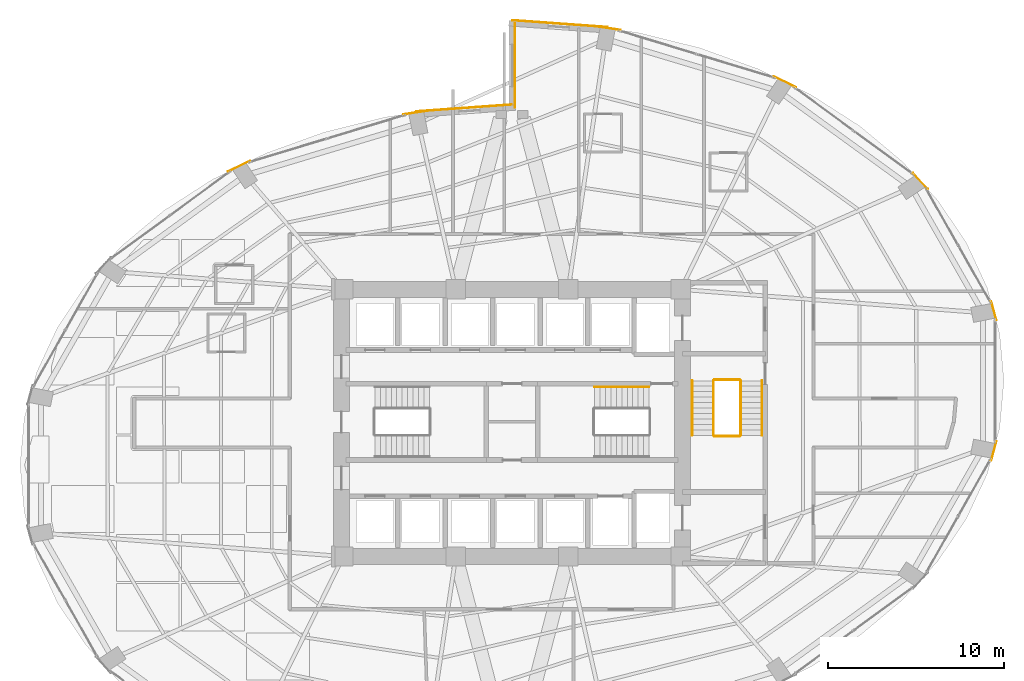
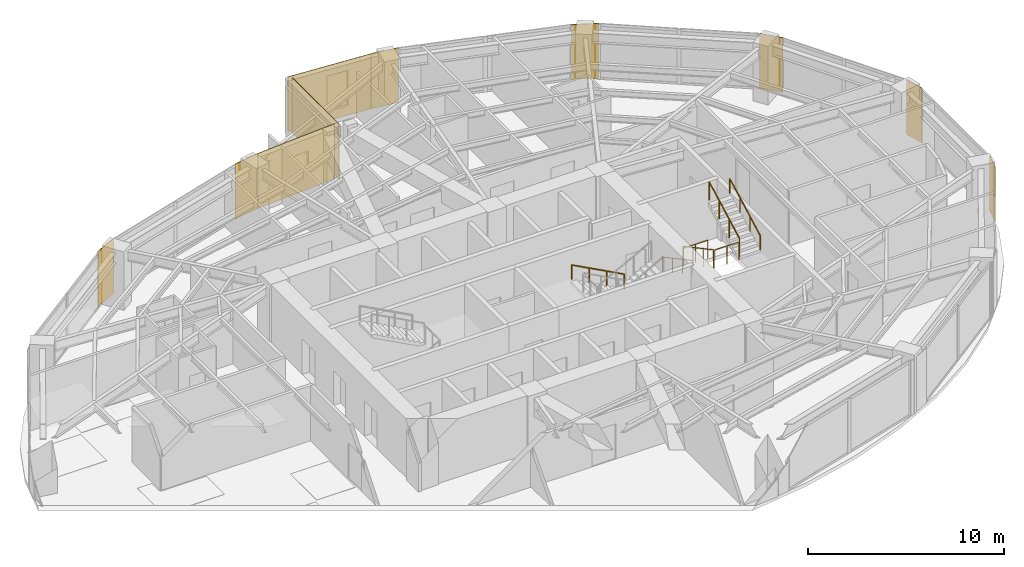
# One storey, part 24 of 24: 10 coverings, 7 railings.
"""IFC4 building model written with IfcOpenShell, lengths in metres."""

from ifc_helpers import new_model, si_unit, direction, frame, origin, origin_2d, place, context, subcontext, project, spatial, rectangle, circle, extrude, material, layer, layer_set, type_object, element, save


model = new_model("IFC4")

# Units and contexts
model_context = context("Model", 3, precision=1e-05, world=origin(), true_north=direction((0.0, 1.0)))
body_context = subcontext(model_context, "Body", "Model", "MODEL_VIEW")
ifc_project = project(units=[si_unit("LENGTHUNIT", "METRE"), si_unit("AREAUNIT", "SQUARE_METRE"), si_unit("VOLUMEUNIT", "CUBIC_METRE"), si_unit("PLANEANGLEUNIT", "RADIAN"), si_unit("MASSUNIT", "GRAM", prefix="KILO")], contexts=[model_context])

# Site, building, storey
site_placement = place(None, origin())
site = spatial("IfcSite", under=ifc_project, at=site_placement, CompositionType="ELEMENT")
building_placement = place(site_placement, origin())
building = spatial("IfcBuilding", under=site, at=building_placement, Name="Lazwardi Medical Tower", CompositionType="ELEMENT")
storey_placement = place(building_placement, frame((0.0, 0.0, 54.384033203125)))
storey = spatial("IfcBuildingStorey", under=building, at=storey_placement, Name="L13", CompositionType="ELEMENT", Elevation=54.384033203125)

# Coverings
ifc_material_1 = material(Name="Anodised bronze aluminium cassette cladding", Category="aluminium")
ifc_layer_1 = layer(ifc_material_1, 0.030029296875)
ifc_layer_set_1 = layer_set([ifc_layer_1], Name="Anodised bronze aluminium cassette cladding")
covering_type_1 = type_object("IfcCoveringType", Name="COV-CLD-BRZ", PredefinedType="CLADDING", material=ifc_layer_set_1)
for number, where, z_axis, x_axis, name in (
    (1, (63.420654296875, 26.408203125, 0.0), (0.0, 0.0, 1.0), (0.262283496593, 0.964990863902, 0.0), "L13 Mega-column bronze cassette cover M04"),
    (2, (63.420654296875, 34.3916015625, 0.0), (0.0, 0.0, 1.0), (-0.262283496593, 0.964990863902, 0.0), "L13 Mega-column bronze cassette cover M05"),
):
    element("IfcCovering", number, at=place(storey_placement, frame(where, z_axis=z_axis, x_axis=x_axis)), inside=storey, type_object=covering_type_1, Name=name, PredefinedType="CLADDING", context=body_context, shape_type="SweptSolid", body=[
        extrude(rectangle(XDim=1.12548828125, YDim=0.030029296875, at=origin_2d()), origin(), (0.0, 0.0, 1.0), 3.427978515625),
    ])
covering_1_placement = place(storey_placement, frame((59.24609375, 41.767333984375, 0.0), z_axis=(0.0, 0.0, 1.0), x_axis=(-0.674252120961, 0.738501237223, 0.0)))
element("IfcCovering", 3, at=covering_1_placement, inside=storey, type_object=covering_type_1, Name="L13 Mega-column bronze cassette cover M06", PredefinedType="CLADDING", context=body_context, shape_type="SweptSolid", body=[
    extrude(rectangle(XDim=1.24658203125, YDim=0.030029296875, at=origin_2d()), origin(), (0.0, 0.0, 1.0), 3.427978515625),
])
covering_2_placement = place(storey_placement, frame((51.532470703125, 47.412353515625, 0.0), z_axis=(0.0, 0.0, 1.0), x_axis=(-0.898334492373, 0.439312121178, 0.0)))
element("IfcCovering", 4, at=covering_2_placement, inside=storey, type_object=covering_type_1, Name="L13 Mega-column bronze cassette cover M07", PredefinedType="CLADDING", context=body_context, shape_type="SweptSolid", body=[
    extrude(rectangle(XDim=1.400390625, YDim=0.030029296875, at=origin_2d()), origin(), (0.0, 0.0, 1.0), 3.427978515625),
])
for number, where, z_axis, x_axis, name in (
    (5, (41.454345703125, 50.46728515625, 0.0), (0.0, 0.0, 1.0), (-0.98957259946, 0.144034962415, 0.0), "L13 Mega-column bronze cassette cover M08"),
    (6, (30.545654296875, 45.66748046875, 0.0), (0.0, 0.0, 1.0), (-0.98957259946, -0.144034962415, 0.0), "L13 Mega-column bronze cassette cover M09"),
):
    element("IfcCovering", number, at=place(storey_placement, frame(where, z_axis=z_axis, x_axis=x_axis)), inside=storey, type_object=covering_type_1, Name=name, PredefinedType="CLADDING", context=body_context, shape_type="SweptSolid", body=[
        extrude(rectangle(XDim=1.49951171875, YDim=0.030029296875, at=origin_2d()), origin(), (0.0, 0.0, 1.0), 3.427978515625),
    ])
covering_3_placement = place(storey_placement, frame((20.467529296875, 42.6123046875, 0.0), z_axis=(0.0, 0.0, 1.0), x_axis=(-0.898334492373, -0.439312121178, 0.0)))
element("IfcCovering", 7, at=covering_3_placement, inside=storey, type_object=covering_type_1, Name="L13 Mega-column bronze cassette cover M10", PredefinedType="CLADDING", context=body_context, shape_type="SweptSolid", body=[
    extrude(rectangle(XDim=1.400390625, YDim=0.030029296875, at=origin_2d()), origin(), (0.0, 0.0, 1.0), 3.427978515625),
])
ifc_material_2 = material(Name="Turquoise glazed ceramic tilework cladding", Category="masonry")
ifc_layer_2 = layer(ifc_material_2, 0.034912109375)
ifc_layer_set_2 = layer_set([ifc_layer_2], Name="Turquoise glazed ceramic tilework cladding")
covering_type_2 = type_object("IfcCoveringType", Name="COV-CLD-TRQ", PredefinedType="CLADDING", material=ifc_layer_set_2)
covering_4_placement = place(storey_placement, frame((38.728271484375, 50.719482421875, 0.0), z_axis=(0.0, 0.0, 1.0), x_axis=(-0.997421404513, 0.071767275412, 0.0)))
element("IfcCovering", 8, at=covering_4_placement, inside=storey, type_object=covering_type_2, Name="L13 Turquoise glazed ceramic tilework cladding", PredefinedType="CLADDING", context=body_context, shape_type="SweptSolid", body=[
    extrude(rectangle(XDim=5.4453125, YDim=0.034912109375, at=origin_2d()), origin(), (0.0, 0.0, 1.0), 3.427978515625),
])
covering_5_placement = place(storey_placement, frame((33.271484375, 45.919677734375, 0.0), z_axis=(0.0, 0.0, 1.0), x_axis=(-0.997420903458, -0.071774238726, 0.0)))
element("IfcCovering", 9, at=covering_5_placement, inside=storey, type_object=covering_type_2, Name="L13 Turquoise glazed ceramic tilework cladding", PredefinedType="CLADDING", context=body_context, shape_type="SweptSolid", body=[
    extrude(rectangle(XDim=5.44482421875, YDim=0.034912109375, at=origin_2d()), origin(), (0.0, 0.0, 1.0), 3.427978515625),
])
covering_6_placement = place(storey_placement, frame((36.175537109375, 48.340087890625, 0.0), z_axis=(0.0, 0.0, 1.0), x_axis=(0.0, -1.0, 0.0)))
element("IfcCovering", 10, at=covering_6_placement, inside=storey, type_object=covering_type_2, Name="L13 Turquoise glazed ceramic tilework iwan panel", PredefinedType="CLADDING", context=body_context, shape_type="SweptSolid", body=[
    extrude(rectangle(XDim=4.800048828125, YDim=0.034912109375, at=origin_2d()), origin(), (0.0, 0.0, 1.0), 3.427978515625),
])

# Railings
ifc_material_3 = material(Name="Stainless steel Grade 316", Category="steel")
railing_type_1 = type_object("IfcRailingType", Name="RLG-GRD-1150", PredefinedType="GUARDRAIL", material=ifc_material_3)
railing_1_placement = place(storey_placement, frame((47.469970703125, 30.39990234375, 0.165771484375)))
element("IfcRailing", 11, at=railing_1_placement, inside=storey, type_object=railing_type_1, Name="L13 ST3 stair guard 1", PredefinedType="GUARDRAIL", context=body_context, shape_type="SweptSolid", body=[
    extrude(circle(Radius=0.02392578125, at=origin_2d()), frame((0.0, 0.0, 1.1259765625), z_axis=(0.0, -0.881767849116, 0.471683644262), x_axis=(1.0, 0.0, 0.0)), (0.0, 0.0, 1.0), 3.515380859375),
    extrude(circle(Radius=0.02099609375, at=origin_2d()), origin(), (0.0, 0.0, 1.0), 1.099853515625),
    extrude(circle(Radius=0.02099609375, at=origin_2d()), frame((0.0, -1.033203125, 0.552734375)), (0.0, 0.0, 1.0), 1.099853515625),
    extrude(circle(Radius=0.02099609375, at=origin_2d()), frame((0.0, -2.066650390625, 1.10546875)), (0.0, 0.0, 1.0), 1.099853515625),
    extrude(circle(Radius=0.02099609375, at=origin_2d()), frame((0.0, -3.099853515625, 1.658203125)), (0.0, 0.0, 1.0), 1.099853515625),
])
railing_2_placement = place(storey_placement, frame((47.52001953125, 27.25, 1.823974609375)))
element("IfcRailing", 12, at=railing_2_placement, inside=storey, type_object=railing_type_1, Name="L13 ST3 stair guard 2", PredefinedType="GUARDRAIL", context=body_context, shape_type="SweptSolid", body=[
    extrude(circle(Radius=0.02392578125, at=origin_2d()), frame((0.0, 0.0, 1.1259765625), z_axis=(1.0, 0.0, 0.0), x_axis=(0.0, 1.0, 0.0)), (0.0, 0.0, 1.0), 1.43994140625),
    extrude(circle(Radius=0.02099609375, at=origin_2d()), origin(), (0.0, 0.0, 1.0), 1.099853515625),
    extrude(circle(Radius=0.02099609375, at=origin_2d()), frame((0.719970703125, 0.0, 0.0)), (0.0, 0.0, 1.0), 1.099853515625),
    extrude(circle(Radius=0.02099609375, at=origin_2d()), frame((1.43994140625, 0.0, 0.0)), (0.0, 0.0, 1.0), 1.099853515625),
])
railing_3_placement = place(storey_placement, frame((49.010009765625, 27.300048828125, 1.98974609375)))
element("IfcRailing", 13, at=railing_3_placement, inside=storey, type_object=railing_type_1, Name="L13 ST3 stair guard 3", PredefinedType="GUARDRAIL", context=body_context, shape_type="SweptSolid", body=[
    extrude(circle(Radius=0.02392578125, at=origin_2d()), frame((0.0, 0.0, 1.1259765625), z_axis=(0.0, 0.881767849116, 0.471683644262), x_axis=(-1.0, 0.0, 0.0)), (0.0, 0.0, 1.0), 3.515380859375),
    extrude(circle(Radius=0.02099609375, at=origin_2d()), origin(), (0.0, 0.0, 1.0), 1.099853515625),
    extrude(circle(Radius=0.02099609375, at=origin_2d()), frame((0.0, 1.033203125, 0.552734375)), (0.0, 0.0, 1.0), 1.099853515625),
    extrude(circle(Radius=0.02099609375, at=origin_2d()), frame((0.0, 2.066650390625, 1.10546875)), (0.0, 0.0, 1.0), 1.099853515625),
    extrude(circle(Radius=0.02099609375, at=origin_2d()), frame((0.0, 3.099853515625, 1.658203125)), (0.0, 0.0, 1.0), 1.099853515625),
])
railing_4_placement = place(storey_placement, frame((47.52001953125, 30.449951171875, 0.0)))
element("IfcRailing", 14, at=railing_4_placement, inside=storey, type_object=railing_type_1, Name="L13 ST3 stair guard 4", PredefinedType="GUARDRAIL", context=body_context, shape_type="SweptSolid", body=[
    extrude(circle(Radius=0.02392578125, at=origin_2d()), frame((0.0, 0.0, 1.1259765625), z_axis=(1.0, 0.0, 0.0), x_axis=(0.0, 1.0, 0.0)), (0.0, 0.0, 1.0), 1.43994140625),
    extrude(circle(Radius=0.02099609375, at=origin_2d()), origin(), (0.0, 0.0, 1.0), 1.099853515625),
    extrude(circle(Radius=0.02099609375, at=origin_2d()), frame((0.719970703125, 0.0, 0.0)), (0.0, 0.0, 1.0), 1.099853515625),
    extrude(circle(Radius=0.02099609375, at=origin_2d()), frame((1.43994140625, 0.0, 0.0)), (0.0, 0.0, 1.0), 1.099853515625),
])
railing_type_2 = type_object("IfcRailingType", Name="RLG-HND-920", PredefinedType="HANDRAIL", material=ifc_material_3)
railing_5_placement = place(storey_placement, frame((43.800048828125, 30.050048828125, 0.165771484375)))
element("IfcRailing", 15, at=railing_5_placement, inside=storey, type_object=railing_type_2, Name="L13 ST2 stair handrail 1", PredefinedType="HANDRAIL", context=body_context, shape_type="SweptSolid", body=[
    extrude(circle(Radius=0.02392578125, at=origin_2d()), frame((0.0, 0.0, 0.8857421875), z_axis=(-0.881783298633, 0.0, 0.471654761719), x_axis=(0.0, -1.0, 0.0)), (0.0, 0.0, 1.0), 3.515625),
    extrude(circle(Radius=0.02099609375, at=origin_2d()), origin(), (0.0, 0.0, 1.0), 0.85986328125),
    extrude(circle(Radius=0.02099609375, at=origin_2d()), frame((-1.033447265625, 0.0, 0.552734375)), (0.0, 0.0, 1.0), 0.85986328125),
    extrude(circle(Radius=0.02099609375, at=origin_2d()), frame((-2.066650390625, 0.0, 1.10546875)), (0.0, 0.0, 1.0), 0.85986328125),
    extrude(circle(Radius=0.02099609375, at=origin_2d()), frame((-3.10009765625, 0.0, 1.658203125)), (0.0, 0.0, 1.0), 0.85986328125),
])
railing_6_placement = place(storey_placement, frame((46.25, 30.39990234375, 0.165771484375)))
element("IfcRailing", 16, at=railing_6_placement, inside=storey, type_object=railing_type_2, Name="L13 ST3 stair handrail 1", PredefinedType="HANDRAIL", context=body_context, shape_type="SweptSolid", body=[
    extrude(circle(Radius=0.02392578125, at=origin_2d()), frame((0.0, 0.0, 0.8857421875), z_axis=(0.0, -0.881767849116, 0.471683644262), x_axis=(1.0, 0.0, 0.0)), (0.0, 0.0, 1.0), 3.515380859375),
    extrude(circle(Radius=0.02099609375, at=origin_2d()), origin(), (0.0, 0.0, 1.0), 0.85986328125),
    extrude(circle(Radius=0.02099609375, at=origin_2d()), frame((0.0, -1.033203125, 0.552734375)), (0.0, 0.0, 1.0), 0.85986328125),
    extrude(circle(Radius=0.02099609375, at=origin_2d()), frame((0.0, -2.066650390625, 1.10546875)), (0.0, 0.0, 1.0), 0.85986328125),
    extrude(circle(Radius=0.02099609375, at=origin_2d()), frame((0.0, -3.099853515625, 1.658203125)), (0.0, 0.0, 1.0), 0.85986328125),
])
railing_7_placement = place(storey_placement, frame((50.22998046875, 27.300048828125, 1.98974609375)))
element("IfcRailing", 17, at=railing_7_placement, inside=storey, type_object=railing_type_2, Name="L13 ST3 stair handrail 2", PredefinedType="HANDRAIL", context=body_context, shape_type="SweptSolid", body=[
    extrude(circle(Radius=0.02392578125, at=origin_2d()), frame((0.0, 0.0, 0.8857421875), z_axis=(0.0, 0.881767849116, 0.471683644262), x_axis=(-1.0, 0.0, 0.0)), (0.0, 0.0, 1.0), 3.515380859375),
    extrude(circle(Radius=0.02099609375, at=origin_2d()), origin(), (0.0, 0.0, 1.0), 0.85986328125),
    extrude(circle(Radius=0.02099609375, at=origin_2d()), frame((0.0, 1.033203125, 0.552734375)), (0.0, 0.0, 1.0), 0.85986328125),
    extrude(circle(Radius=0.02099609375, at=origin_2d()), frame((0.0, 2.066650390625, 1.10546875)), (0.0, 0.0, 1.0), 0.85986328125),
    extrude(circle(Radius=0.02099609375, at=origin_2d()), frame((0.0, 3.099853515625, 1.658203125)), (0.0, 0.0, 1.0), 0.85986328125),
])

save(model, "model.ifc")
